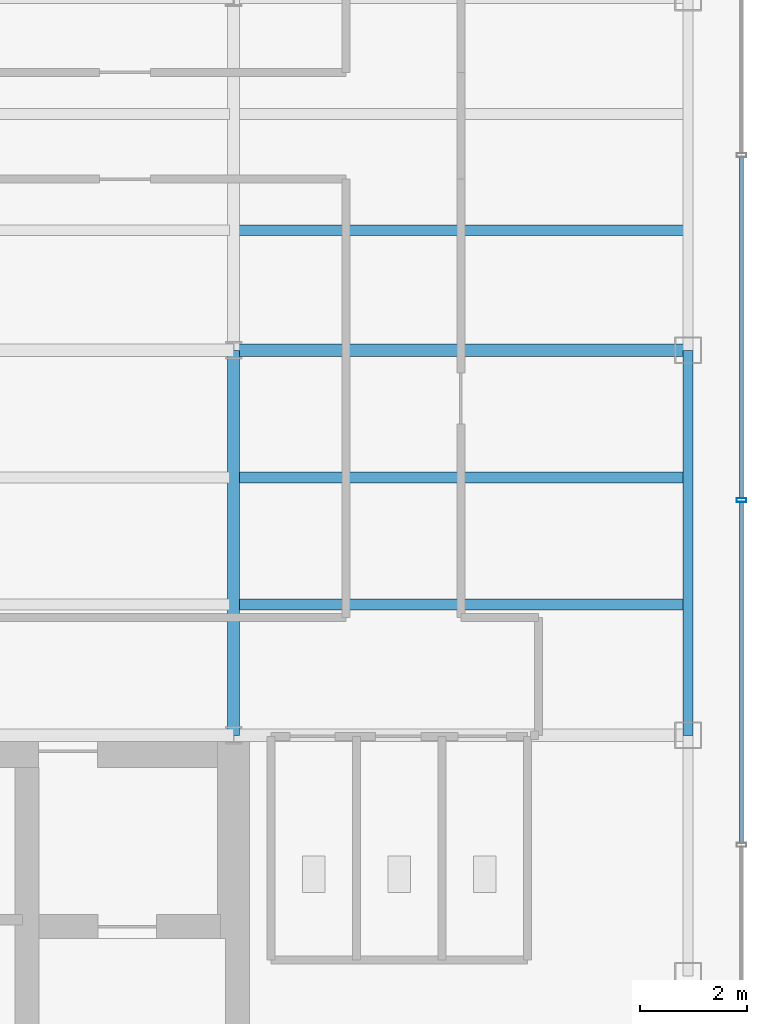
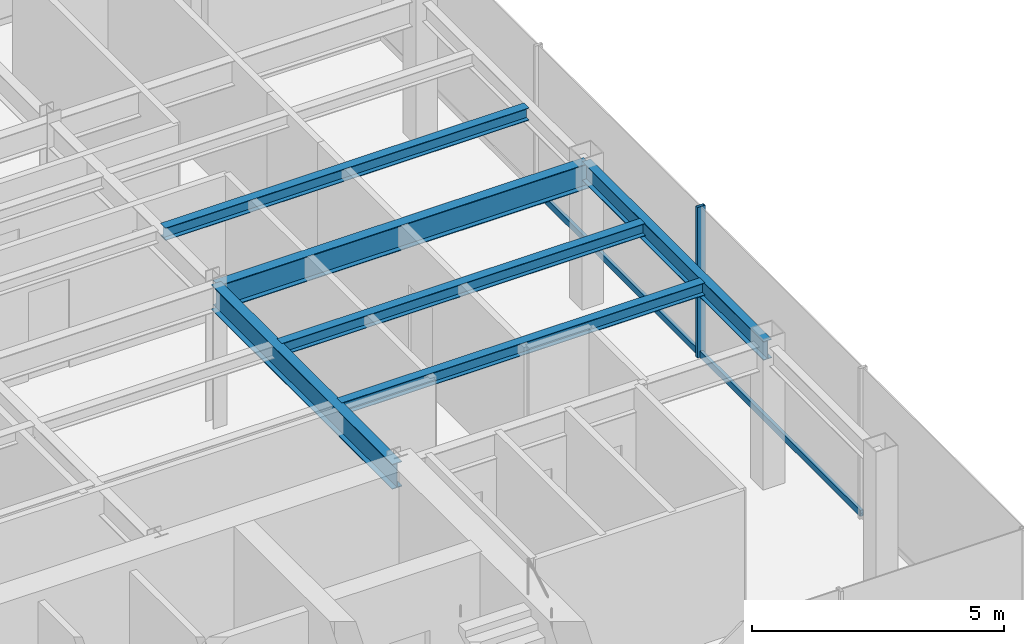
# One storey, part 10 of 22: 6 beams, 3 members, 1 element without a shape of its own.
"""IFC4 building model written with IfcOpenShell, lengths in metres."""

from ifc_helpers import new_model, si_unit, derived_unit, direction, frame, origin, origin_2d, place, context, subcontext, project, spatial, hollow_rectangle, i_section, extrude, source, transform, mapped, material, material_profile, profile_set, type_object, element, aggregate, save


model = new_model("IFC4")

# Units and contexts
model_context = context("Model", 3, precision=1e-05, world=origin(), true_north=direction((0.0, 1.0)))
body_context = subcontext(model_context, "Body", "Model", "MODEL_VIEW")
ifc_project = project(units=[si_unit("LENGTHUNIT", "METRE"), si_unit("AREAUNIT", "SQUARE_METRE"), si_unit("VOLUMEUNIT", "CUBIC_METRE"), si_unit("PLANEANGLEUNIT", "RADIAN"), si_unit("MASSUNIT", "GRAM", prefix="KILO"), derived_unit("THERMALTRANSMITTANCEUNIT", [(si_unit("POWERUNIT", "WATT"), 1), (si_unit("LENGTHUNIT", "METRE"), -2), (si_unit("THERMODYNAMICTEMPERATUREUNIT", "KELVIN"), -1)])], contexts=[model_context])

# Site, building, storey
site_placement = place(None, origin())
site = spatial("IfcSite", under=ifc_project, at=site_placement, CompositionType="ELEMENT")
building_placement = place(site_placement, origin())
building = spatial("IfcBuilding", under=site, at=building_placement, Name="Skarnbrae Concourse Arena and Tower", CompositionType="ELEMENT")
storey_placement = place(building_placement, frame((0.0, 0.0, 258.800048828125)))
storey = spatial("IfcBuildingStorey", under=building, at=storey_placement, Name="L67", CompositionType="ELEMENT", Elevation=258.800048828125)

# Beams
ifc_material_1 = material(Name="Steel CSA G40.21 350W", Category="steel")
ifc_material_profile_1 = material_profile(ifc_material_1, i_section(OverallWidth=0.22802734375, OverallDepth=0.60791015625, WebThickness=0.01123046875, FlangeThickness=0.017333984375, at=origin_2d()), Name="W610X113")
ifc_profile_set_1 = profile_set([ifc_material_profile_1], Name="Steel CSA G40.21 350W")
beam_type_1 = type_object("IfcBeamType", Name="BM-GIRD-W610X113", PredefinedType="BEAM", material=ifc_profile_set_1)
shared_shape_1 = source(origin(), body_context, "Body", "SweptSolid", [
    extrude(i_section(OverallWidth=0.22802734375, OverallDepth=0.60791015625, WebThickness=0.01123046875, FlangeThickness=0.017333984375, at=origin_2d()), origin(), (0.0, 0.0, 1.0), 8.5),
])
beam_1_placement = place(storey_placement, frame((33.5, 21.199951171875, 3.095947265625), z_axis=(1.0, 0.0, 0.0), x_axis=(0.0, 1.0, 0.0)))
element("IfcBeam", 1, at=beam_1_placement, inside=storey, type_object=beam_type_1, Name="L67 Primary E-W girder Y21.2-6", PredefinedType="BEAM", context=body_context, shape_type="MappedRepresentation", body=[
    mapped(shared_shape_1, transform((0.0, 0.0, 0.0))),
])
ifc_material_profile_2 = material_profile(ifc_material_1, i_section(OverallWidth=0.19091796875, OverallDepth=0.4599609375, WebThickness=0.010009765625, FlangeThickness=0.01611328125, at=origin_2d()), Name="W460X82")
ifc_profile_set_2 = profile_set([ifc_material_profile_2], Name="Steel CSA G40.21 350W")
beam_type_2 = type_object("IfcBeamType", Name="BM-SPAN-W460X82", PredefinedType="SPANDREL", material=ifc_profile_set_2)
shared_shape_2 = source(origin(), body_context, "Body", "SweptSolid", [
    extrude(i_section(OverallWidth=0.19091796875, OverallDepth=0.4599609375, WebThickness=0.010009765625, FlangeThickness=0.01611328125, at=origin_2d()), origin(), (0.0, 0.0, 1.0), 7.199951171875),
])
beam_2_placement = place(storey_placement, frame((42.0, 14.0, 3.169921875), z_axis=(0.0, 1.0, 0.0), x_axis=(-1.0, 0.0, 0.0)))
element("IfcBeam", 2, at=beam_2_placement, inside=storey, type_object=beam_type_2, Name="L67 Perimeter spandrel X42.0-2", PredefinedType="SPANDREL", context=body_context, shape_type="MappedRepresentation", body=[
    mapped(shared_shape_2, transform((0.0, 0.0, 0.0))),
])
shared_shape_3 = source(origin(), body_context, "Body", "SweptSolid", [
    extrude(i_section(OverallWidth=0.22802734375, OverallDepth=0.60791015625, WebThickness=0.01123046875, FlangeThickness=0.017333984375, at=origin_2d()), origin(), (0.0, 0.0, 1.0), 7.199951171875),
])
beam_3_placement = place(storey_placement, frame((33.5, 14.0, 3.095947265625), z_axis=(0.0, 1.0, 0.0), x_axis=(-1.0, 0.0, 0.0)))
element("IfcBeam", 3, at=beam_3_placement, inside=storey, type_object=beam_type_1, Name="L67 Primary N-S girder X33.5-1", PredefinedType="BEAM", context=body_context, shape_type="MappedRepresentation", body=[
    mapped(shared_shape_3, transform((0.0, 0.0, 0.0))),
])
ifc_material_profile_3 = material_profile(ifc_material_1, i_section(OverallWidth=0.202880859375, OverallDepth=0.302978515625, WebThickness=0.007568359375, FlangeThickness=0.01318359375, at=origin_2d()), Name="W310X60")
ifc_profile_set_3 = profile_set([ifc_material_profile_3], Name="Steel CSA G40.21 350W")
beam_type_3 = type_object("IfcBeamType", Name="BM-JOIST-W310X60", PredefinedType="JOIST", material=ifc_profile_set_3)
shared_shape_4 = source(origin(), body_context, "Body", "SweptSolid", [
    extrude(i_section(OverallWidth=0.202880859375, OverallDepth=0.302978515625, WebThickness=0.007568359375, FlangeThickness=0.01318359375, at=origin_2d()), origin(), (0.0, 0.0, 1.0), 8.33984375),
])
for number, where, z_axis, x_axis, name in (
    (4, (33.580078125, 16.447998046875, 3.24853515625), (1.0, 0.0, 0.0), (0.0, 1.0, 0.0), "L67 Secondary floor joist 1.1.6"),
    (5, (33.580078125, 18.823974609375, 3.24853515625), (1.0, 0.0, 0.0), (0.0, 1.0, 0.0), "L67 Secondary floor joist 1.2.6"),
    (6, (33.580078125, 23.444091796875, 3.24853515625), (1.0, 0.0, 0.0), (0.0, 1.0, 0.0), "L67 Secondary floor joist 2.1.6"),
):
    element("IfcBeam", number, at=place(storey_placement, frame(where, z_axis=z_axis, x_axis=x_axis)), inside=storey, type_object=beam_type_3, Name=name, PredefinedType="JOIST", context=body_context, shape_type="MappedRepresentation", body=[
        mapped(shared_shape_4, transform((0.0, 0.0, 0.0))),
    ])

# Curtain wall, members
ifc_material_2 = material(Name="Bronze anodised aluminium 6063-T6", Category="aluminium")
curtain_wall_type = type_object("IfcCurtainWallType", Name="CW-SYS-05-HIGHZONE", PredefinedType="USERDEFINED", material=ifc_material_2)
curtain_wall_placement = place(storey_placement, origin())
curtain_wall = element("IfcCurtainWall", 7, at=curtain_wall_placement, inside=storey, type_object=curtain_wall_type, Name="L67 Unitised curtain wall CW-L67-E04", ObjectType="UNITISED CURTAIN WALL", PredefinedType="USERDEFINED")
ifc_material_profile_4 = material_profile(ifc_material_2, hollow_rectangle(XDim=0.074951171875, YDim=0.179931640625, WallThickness=0.00390625, at=origin_2d()), Name="ALU-MULL-75X180")
ifc_profile_set_4 = profile_set([ifc_material_profile_4], Name="Bronze anodised aluminium 6063-T6")
member_type_1 = type_object("IfcMemberType", Name="CWM-CW-05", PredefinedType="MULLION", material=ifc_profile_set_4)
shared_shape_5 = source(origin(), body_context, "Body", "SweptSolid", [
    extrude(hollow_rectangle(XDim=0.074951171875, YDim=0.179931640625, WallThickness=0.00390625, at=origin_2d()), origin(), (0.0, 0.0, 1.0), 3.64990234375),
])
member_1_placement = place(storey_placement, frame((43.0, 18.39990234375, 0.0), z_axis=(0.0, 0.0, 1.0), x_axis=(0.0, 1.0, 0.0)))
member_1 = element("IfcMember", 8, at=member_1_placement, type_object=member_type_1, Name="CW-L67-E04 Mullion 3", PredefinedType="MULLION", context=body_context, shape_type="MappedRepresentation", body=[
    mapped(shared_shape_5, transform((0.0, 0.0, 0.0))),
])
ifc_material_profile_5 = material_profile(ifc_material_2, hollow_rectangle(XDim=0.074951171875, YDim=0.14990234375, WallThickness=0.00390625, at=origin_2d()), Name="ALU-TRAN-75X150")
ifc_profile_set_5 = profile_set([ifc_material_profile_5], Name="Bronze anodised aluminium 6063-T6")
member_type_2 = type_object("IfcMemberType", Name="CWT-CW-05", PredefinedType="USERDEFINED", material=ifc_profile_set_5)
shared_shape_6 = source(origin(), body_context, "Body", "SweptSolid", [
    extrude(hollow_rectangle(XDim=0.074951171875, YDim=0.14990234375, WallThickness=0.00390625, at=origin_2d()), origin(), (0.0, 0.0, 1.0), 6.375),
])
member_2_placement = place(storey_placement, frame((43.0, 11.987548828125, 0.074951171875), z_axis=(0.0, 1.0, 0.0), x_axis=(-1.0, 0.0, 0.0)))
member_2 = element("IfcMember", 9, at=member_2_placement, type_object=member_type_2, Name="CW-L67-E04 Transom 2", ObjectType="TRANSOM", PredefinedType="USERDEFINED", context=body_context, shape_type="MappedRepresentation", body=[
    mapped(shared_shape_6, transform((0.0, 0.0, 0.0))),
])
member_3_placement = place(storey_placement, frame((43.0, 18.4375, 0.074951171875), z_axis=(0.0, 1.0, 0.0), x_axis=(-1.0, 0.0, 0.0)))
member_3 = element("IfcMember", 10, at=member_3_placement, type_object=member_type_2, Name="CW-L67-E04 Transom 3", ObjectType="TRANSOM", PredefinedType="USERDEFINED", context=body_context, shape_type="MappedRepresentation", body=[
    mapped(shared_shape_6, transform((0.0, 0.0, 0.0))),
])
aggregate(curtain_wall, [member_1, member_2, member_3])

save(model, "model.ifc")
